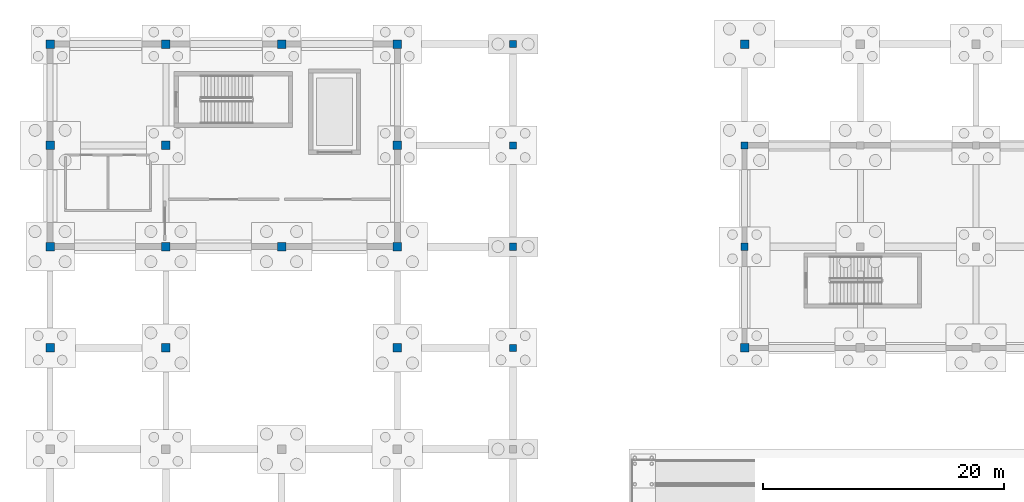
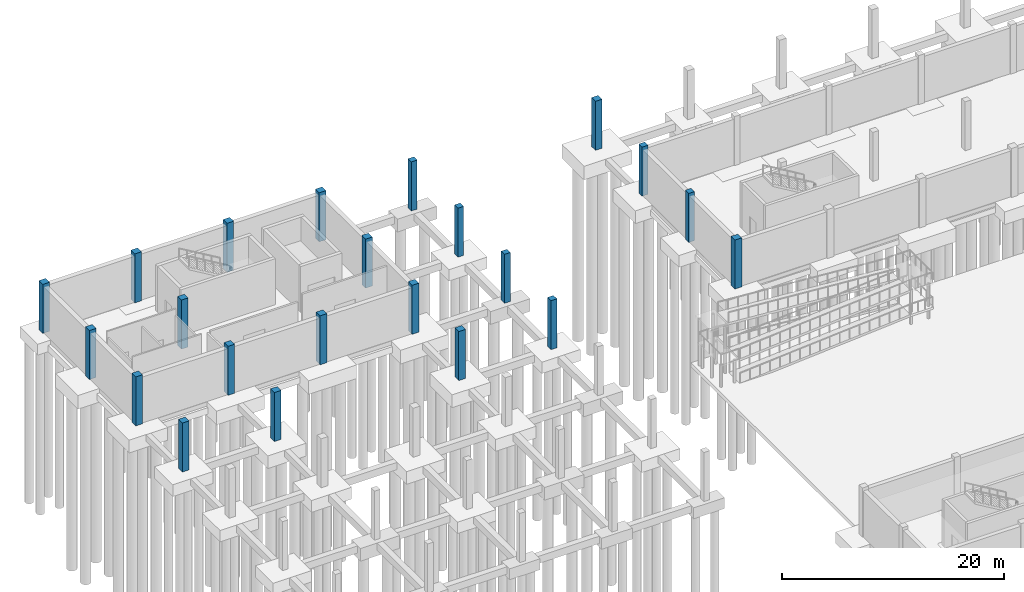
# One storey, part 14 of 41: 22 columns.
"""IFC4 building model written with IfcOpenShell, lengths in metres."""

from ifc_helpers import new_model, si_unit, direction, frame, origin, origin_2d, place, context, subcontext, project, spatial, rectangle, extrude, material, material_profile, profile_set, type_object, element, save


model = new_model("IFC4")

# Units and contexts
model_context = context("Model", 3, precision=1e-05, world=origin(), true_north=direction((0.0, 1.0)))
body_context = subcontext(model_context, "Body", "Model", "MODEL_VIEW")
ifc_project = project(units=[si_unit("LENGTHUNIT", "METRE"), si_unit("AREAUNIT", "SQUARE_METRE"), si_unit("VOLUMEUNIT", "CUBIC_METRE"), si_unit("PLANEANGLEUNIT", "RADIAN"), si_unit("MASSUNIT", "GRAM", prefix="KILO")], contexts=[model_context])

# Site, building, storey
site_placement = place(None, origin())
site = spatial("IfcSite", under=ifc_project, at=site_placement, CompositionType="ELEMENT")
building_placement = place(site_placement, origin())
building = spatial("IfcBuilding", under=site, at=building_placement, Name="Shalvenor Court Art Gallery", CompositionType="ELEMENT")
storey_placement = place(building_placement, frame((0.0, 0.0, -5.39990234375)))
storey = spatial("IfcBuildingStorey", under=building, at=storey_placement, Name="B01", CompositionType="ELEMENT", Elevation=-5.39990234375)

# Columns
ifc_material_1 = material(Name="Concrete C40/50", Category="concrete")
ifc_material_profile_1 = material_profile(ifc_material_1, rectangle(XDim=0.699951171875, YDim=0.699951171875, at=origin_2d()), Name="RC 700x700")
ifc_profile_set_1 = profile_set([ifc_material_profile_1], Name="Concrete C40/50")
column_type_1 = type_object("IfcColumnType", Name="C-02", PredefinedType="COLUMN", material=ifc_profile_set_1)
for number, where, z_axis, x_axis, name in (
    (1, (9.60009765625, 97.199951171875, 0.0), (0.0, 0.0, 1.0), (1.0, 0.0, 0.0), "B01 Column COL-B01-C-02-0066"),
    (2, (9.60009765625, 105.60009765625, 0.0), (0.0, 0.0, 1.0), (1.0, 0.0, 0.0), "B01 Column COL-B01-C-02-0070"),
    (3, (9.60009765625, 114.0, 0.0), (0.0, 0.0, 1.0), (1.0, 0.0, 0.0), "B01 Column COL-B01-C-02-0075"),
    (4, (19.199951171875, 105.60009765625, 0.0), (0.0, 0.0, 1.0), (1.0, 0.0, 0.0), "B01 Column COL-B01-C-02-0108"),
    (5, (28.800048828125, 97.199951171875, 0.0), (0.0, 0.0, 1.0), (1.0, 0.0, 0.0), "B01 Column COL-B01-C-02-0141"),
    (6, (28.800048828125, 105.60009765625, 0.0), (0.0, 0.0, 1.0), (1.0, 0.0, 0.0), "B01 Column COL-B01-C-02-0145"),
    (7, (28.800048828125, 114.0, 0.0), (0.0, 0.0, 1.0), (1.0, 0.0, 0.0), "B01 Column COL-B01-C-02-0150"),
):
    element("IfcColumn", number, at=place(storey_placement, frame(where, z_axis=z_axis, x_axis=x_axis)), inside=storey, type_object=column_type_1, Name=name, PredefinedType="COLUMN", context=body_context, shape_type="SweptSolid", body=[
        extrude(rectangle(XDim=0.699951171875, YDim=0.699951171875, at=origin_2d()), origin(), (0.0, 0.0, 1.0), 5.39990234375),
    ])
ifc_material_2 = material(Name="Concrete C40/50", Category="concrete")
ifc_material_profile_2 = material_profile(ifc_material_2, rectangle(XDim=0.699951171875, YDim=0.699951171875, at=origin_2d()), Name="RC 700x700")
ifc_profile_set_2 = profile_set([ifc_material_profile_2], Name="Concrete C40/50")
column_type_2 = type_object("IfcColumnType", Name="C-02E", PredefinedType="COLUMN", material=ifc_profile_set_2)
for number, where, z_axis, x_axis, name in (
    (8, (0.0, 97.199951171875, 0.0), (0.0, 0.0, 1.0), (1.0, 0.0, 0.0), "B01 Column COL-B01-C-02E-0024"),
    (9, (0.0, 105.60009765625, 0.0), (0.0, 0.0, 1.0), (1.0, 0.0, 0.0), "B01 Column COL-B01-C-02E-0028"),
    (10, (0.0, 114.0, 0.0), (0.0, 0.0, 1.0), (1.0, 0.0, 0.0), "B01 Column COL-B01-C-02E-0033"),
    (11, (0.0, 122.39990234375, 0.0), (0.0, 0.0, 1.0), (1.0, 0.0, 0.0), "B01 Column COL-B01-C-02E-0038"),
    (12, (9.60009765625, 122.39990234375, 0.0), (0.0, 0.0, 1.0), (1.0, 0.0, 0.0), "B01 Column COL-B01-C-02E-0080"),
    (13, (19.199951171875, 122.39990234375, 0.0), (0.0, 0.0, 1.0), (1.0, 0.0, 0.0), "B01 Column COL-B01-C-02E-0113"),
    (14, (28.800048828125, 122.39990234375, 0.0), (0.0, 0.0, 1.0), (1.0, 0.0, 0.0), "B01 Column COL-B01-C-02E-0155"),
    (15, (57.60009765625, 97.199951171875, 0.0), (0.0, 0.0, 1.0), (1.0, 0.0, 0.0), "B01 Column COL-B01-C-02E-0237"),
    (16, (57.60009765625, 122.39990234375, 0.0), (0.0, 0.0, 1.0), (1.0, 0.0, 0.0), "B01 Column COL-B01-C-02E-0250"),
):
    element("IfcColumn", number, at=place(storey_placement, frame(where, z_axis=z_axis, x_axis=x_axis)), inside=storey, type_object=column_type_2, Name=name, PredefinedType="COLUMN", context=body_context, shape_type="SweptSolid", body=[
        extrude(rectangle(XDim=0.699951171875, YDim=0.699951171875, at=origin_2d()), origin(), (0.0, 0.0, 1.0), 5.39990234375),
    ])
ifc_material_3 = material(Name="Concrete C40/50", Category="concrete")
ifc_material_profile_3 = material_profile(ifc_material_3, rectangle(XDim=0.60009765625, YDim=0.60009765625, at=origin_2d()), Name="RC 600x600")
ifc_profile_set_3 = profile_set([ifc_material_profile_3], Name="Concrete C40/50")
column_type_3 = type_object("IfcColumnType", Name="C-03E", PredefinedType="COLUMN", material=ifc_profile_set_3)
for number, where, z_axis, x_axis, name in (
    (17, (38.39990234375, 97.199951171875, 0.0), (0.0, 0.0, 1.0), (1.0, 0.0, 0.0), "B01 Column COL-B01-C-03E-0182"),
    (18, (38.39990234375, 105.60009765625, 0.0), (0.0, 0.0, 1.0), (1.0, 0.0, 0.0), "B01 Column COL-B01-C-03E-0185"),
    (19, (38.39990234375, 114.0, 0.0), (0.0, 0.0, 1.0), (1.0, 0.0, 0.0), "B01 Column COL-B01-C-03E-0188"),
    (20, (38.39990234375, 122.39990234375, 0.0), (0.0, 0.0, 1.0), (1.0, 0.0, 0.0), "B01 Column COL-B01-C-03E-0191"),
    (21, (57.60009765625, 105.60009765625, 0.0), (0.0, 0.0, 1.0), (1.0, 0.0, 0.0), "B01 Column COL-B01-C-03E-0242"),
    (22, (57.60009765625, 114.0, 0.0), (0.0, 0.0, 1.0), (1.0, 0.0, 0.0), "B01 Column COL-B01-C-03E-0246"),
):
    element("IfcColumn", number, at=place(storey_placement, frame(where, z_axis=z_axis, x_axis=x_axis)), inside=storey, type_object=column_type_3, Name=name, PredefinedType="COLUMN", context=body_context, shape_type="SweptSolid", body=[
        extrude(rectangle(XDim=0.60009765625, YDim=0.60009765625, at=origin_2d()), origin(), (0.0, 0.0, 1.0), 5.39990234375),
    ])

save(model, "model.ifc")
